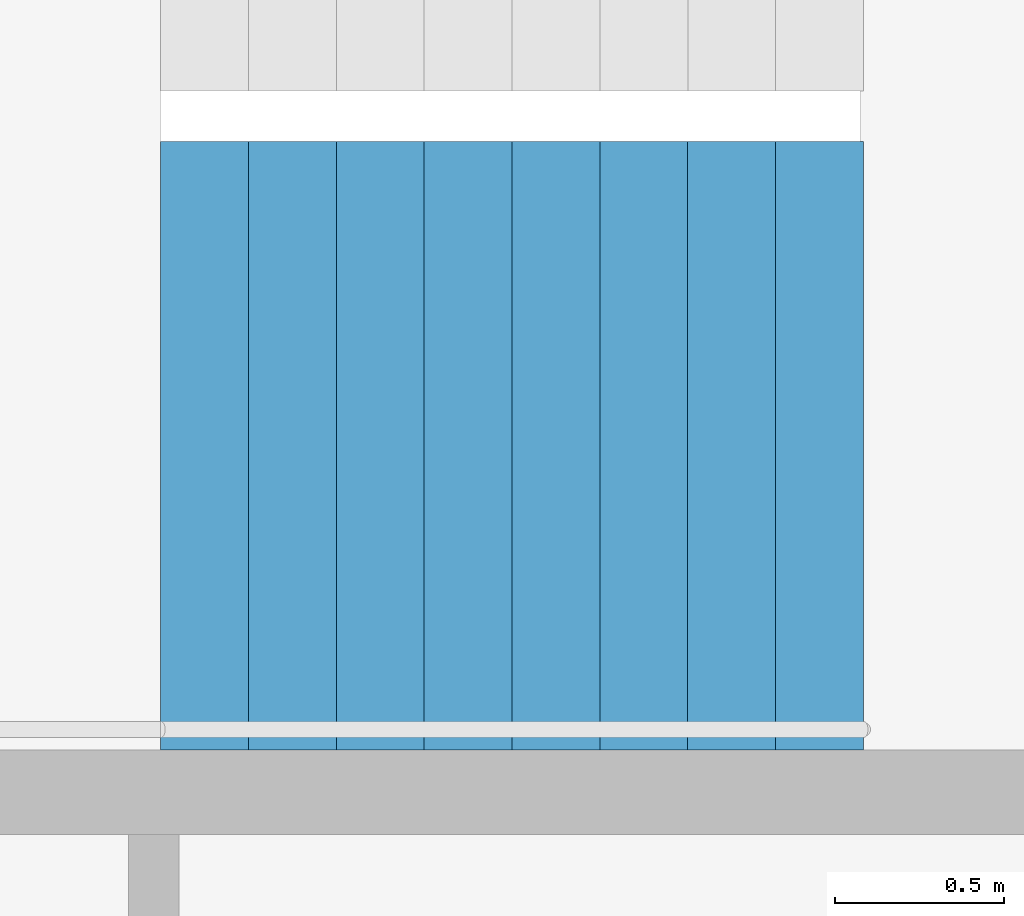
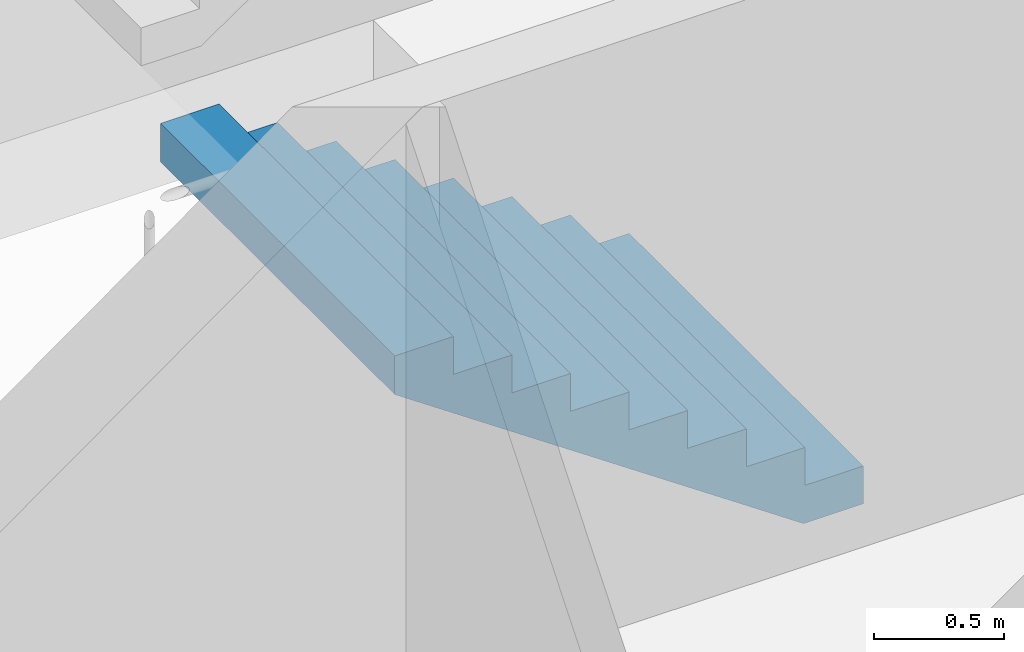
# One storey, part 25 of 27: 1 stair flight, 1 element without a shape of its own.
"""IFC4 building model written with IfcOpenShell, lengths in metres."""

from ifc_helpers import new_model, si_unit, direction, frame, origin, place, context, subcontext, project, spatial, triangles, material, type_object, element, aggregate, save


model = new_model("IFC4")

# Units and contexts
model_context = context("Model", 3, precision=1e-05, world=origin(), true_north=direction((0.0, 1.0)))
body_context = subcontext(model_context, "Body", "Model", "MODEL_VIEW")
ifc_project = project(units=[si_unit("LENGTHUNIT", "METRE"), si_unit("AREAUNIT", "SQUARE_METRE"), si_unit("VOLUMEUNIT", "CUBIC_METRE"), si_unit("PLANEANGLEUNIT", "RADIAN"), si_unit("MASSUNIT", "GRAM", prefix="KILO")], contexts=[model_context])

# Site, building, storey
site_placement = place(None, origin())
site = spatial("IfcSite", under=ifc_project, at=site_placement, CompositionType="ELEMENT")
building_placement = place(site_placement, origin())
building = spatial("IfcBuilding", under=site, at=building_placement, Name="Hakoniwa Tower and Hamabe Station Hall", CompositionType="ELEMENT")
storey_placement = place(building_placement, frame((0.0, 0.0, 255.0)))
storey = spatial("IfcBuildingStorey", under=building, at=storey_placement, Name="L72", CompositionType="ELEMENT", Elevation=255.0)

# Stair, stair flight
ifc_material_1 = material(Name="Concrete C40", Category="concrete")
stair_type = type_object("IfcStairType", Name="ESCAPE STAIR 1800", PredefinedType="HALF_TURN_STAIR", material=ifc_material_1)
stair_placement = place(storey_placement, origin())
stair = element("IfcStair", 1, at=stair_placement, inside=storey, type_object=stair_type, Name="Escape stair ST-3 L72", PredefinedType="HALF_TURN_STAIR")
ifc_material_2 = material(Name="Concrete C40", Category="concrete")
stair_flight_type = type_object("IfcStairFlightType", Name="STAIR FLIGHT 1800", PredefinedType="STRAIGHT", material=ifc_material_2)
stair_flight_placement = place(storey_placement, frame((24.39990234375, 4.64990234375, 0.0), z_axis=(0.0, 0.0, 1.0), x_axis=(-1.0, 0.0, 0.0)))
stair_flight = element("IfcStairFlight", 2, at=stair_flight_placement, type_object=stair_flight_type, Name="ST-3 flight 1", NumberOfRisers=9, NumberOfTreads=8, PredefinedType="STRAIGHT", RiserHeight=0.177777778, TreadLength=0.26, context=body_context, shape_type="Tessellation", body=[
    triangles([(0.0, 0.89990234375, 0.0), (0.260009765625, 0.89990234375, 0.0), (0.265625, 0.89990234375, 0.0), (0.52001953125, 0.89990234375, 0.174072265625), (0.780029296875, 0.89990234375, 0.351806640625), (1.0400390625, 0.89990234375, 0.529541015625), (1.300048828125, 0.89990234375, 0.707275390625), (1.56005859375, 0.89990234375, 0.885009765625), (1.820068359375, 0.89990234375, 1.062744140625), (2.080078125, 0.89990234375, 1.24072265625), (2.080078125, 0.89990234375, 1.422119140625), (1.820068359375, 0.89990234375, 1.422119140625), (1.820068359375, 0.89990234375, 1.244384765625), (1.56005859375, 0.89990234375, 1.244384765625), (1.56005859375, 0.89990234375, 1.066650390625), (1.300048828125, 0.89990234375, 1.066650390625), (1.300048828125, 0.89990234375, 0.888916015625), (1.0400390625, 0.89990234375, 0.888916015625), (1.0400390625, 0.89990234375, 0.711181640625), (0.780029296875, 0.89990234375, 0.711181640625), (0.780029296875, 0.89990234375, 0.533447265625), (0.52001953125, 0.89990234375, 0.533447265625), (0.52001953125, 0.89990234375, 0.35546875), (0.265625, 0.89990234375, 0.35546875), (0.260009765625, 0.89990234375, 0.35546875), (0.260009765625, 0.89990234375, 0.177734375), (0.0, 0.89990234375, 0.177734375), (0.0, 0.06005859375, 0.0), (0.260009765625, 0.06005859375, 0.0), (0.265625, 0.06005859375, 0.0), (0.52001953125, 0.06005859375, 0.174072265625), (0.780029296875, 0.06005859375, 0.351806640625), (1.0400390625, 0.06005859375, 0.529541015625), (1.300048828125, 0.06005859375, 0.707275390625), (1.56005859375, 0.06005859375, 0.885009765625), (1.820068359375, 0.06005859375, 1.062744140625), (2.080078125, 0.06005859375, 1.24072265625), (2.080078125, 0.06005859375, 1.422119140625), (1.820068359375, 0.06005859375, 1.422119140625), (1.820068359375, 0.06005859375, 1.244384765625), (1.56005859375, 0.06005859375, 1.244384765625), (1.56005859375, 0.06005859375, 1.066650390625), (1.300048828125, 0.06005859375, 1.066650390625), (1.300048828125, 0.06005859375, 0.888916015625), (1.0400390625, 0.06005859375, 0.888916015625), (1.0400390625, 0.06005859375, 0.711181640625), (0.780029296875, 0.06005859375, 0.711181640625), (0.780029296875, 0.06005859375, 0.533447265625), (0.52001953125, 0.06005859375, 0.533447265625), (0.52001953125, 0.06005859375, 0.35546875), (0.265625, 0.06005859375, 0.35546875), (0.260009765625, 0.06005859375, 0.35546875), (0.260009765625, 0.06005859375, 0.177734375), (0.0, 0.06005859375, 0.177734375), (0.0, 0.04296875, 0.0), (0.260009765625, 0.04296875, 0.0), (0.265625, 0.04296875, 0.0), (0.52001953125, 0.04296875, 0.174072265625), (0.780029296875, 0.04296875, 0.351806640625), (1.0400390625, 0.04296875, 0.529541015625), (1.300048828125, 0.04296875, 0.707275390625), (1.56005859375, 0.04296875, 0.885009765625), (1.820068359375, 0.04296875, 1.062744140625), (2.080078125, 0.04296875, 1.24072265625), (2.080078125, 0.04296875, 1.422119140625), (1.820068359375, 0.04296875, 1.422119140625), (1.820068359375, 0.04296875, 1.244384765625), (1.56005859375, 0.04296875, 1.244384765625), (1.56005859375, 0.04296875, 1.066650390625), (1.300048828125, 0.04296875, 1.066650390625), (1.300048828125, 0.04296875, 0.888916015625), (1.0400390625, 0.04296875, 0.888916015625), (1.0400390625, 0.04296875, 0.711181640625), (0.780029296875, 0.04296875, 0.711181640625), (0.780029296875, 0.04296875, 0.533447265625), (0.52001953125, 0.04296875, 0.533447265625), (0.52001953125, 0.04296875, 0.35546875), (0.265625, 0.04296875, 0.35546875), (0.260009765625, 0.04296875, 0.35546875), (0.260009765625, 0.04296875, 0.177734375), (0.0, 0.04296875, 0.177734375), (0.0, 0.025634765625, 0.0), (0.260009765625, 0.025634765625, 0.0), (0.265625, 0.025634765625, 0.0), (0.52001953125, 0.025634765625, 0.174072265625), (0.780029296875, 0.025634765625, 0.351806640625), (1.0400390625, 0.025634765625, 0.529541015625), (1.300048828125, 0.025634765625, 0.707275390625), (1.56005859375, 0.025634765625, 0.885009765625), (1.820068359375, 0.025634765625, 1.062744140625), (2.080078125, 0.025634765625, 1.24072265625), (2.080078125, 0.025634765625, 1.422119140625), (1.820068359375, 0.025634765625, 1.422119140625), (1.820068359375, 0.025634765625, 1.244384765625), (1.56005859375, 0.025634765625, 1.244384765625), (1.56005859375, 0.025634765625, 1.066650390625), (1.300048828125, 0.025634765625, 1.066650390625), (1.300048828125, 0.025634765625, 0.888916015625), (1.0400390625, 0.025634765625, 0.888916015625), (1.0400390625, 0.025634765625, 0.711181640625), (0.780029296875, 0.025634765625, 0.711181640625), (0.780029296875, 0.025634765625, 0.533447265625), (0.52001953125, 0.025634765625, 0.533447265625), (0.52001953125, 0.025634765625, 0.35546875), (0.265625, 0.025634765625, 0.35546875), (0.260009765625, 0.025634765625, 0.35546875), (0.260009765625, 0.025634765625, 0.177734375), (0.0, 0.025634765625, 0.177734375), (0.0, 0.008544921875, 0.0), (0.260009765625, 0.008544921875, 0.0), (0.265625, 0.008544921875, 0.0), (0.52001953125, 0.008544921875, 0.174072265625), (0.780029296875, 0.008544921875, 0.351806640625), (1.0400390625, 0.008544921875, 0.529541015625), (1.300048828125, 0.008544921875, 0.707275390625), (1.56005859375, 0.008544921875, 0.885009765625), (1.820068359375, 0.008544921875, 1.062744140625), (2.080078125, 0.008544921875, 1.24072265625), (2.080078125, 0.008544921875, 1.422119140625), (1.820068359375, 0.008544921875, 1.422119140625), (1.820068359375, 0.008544921875, 1.244384765625), (1.56005859375, 0.008544921875, 1.244384765625), (1.56005859375, 0.008544921875, 1.066650390625), (1.300048828125, 0.008544921875, 1.066650390625), (1.300048828125, 0.008544921875, 0.888916015625), (1.0400390625, 0.008544921875, 0.888916015625), (1.0400390625, 0.008544921875, 0.711181640625), (0.780029296875, 0.008544921875, 0.711181640625), (0.780029296875, 0.008544921875, 0.533447265625), (0.52001953125, 0.008544921875, 0.533447265625), (0.52001953125, 0.008544921875, 0.35546875), (0.265625, 0.008544921875, 0.35546875), (0.260009765625, 0.008544921875, 0.35546875), (0.260009765625, 0.008544921875, 0.177734375), (0.0, 0.008544921875, 0.177734375), (0.0, -0.008544921875, 0.0), (0.260009765625, -0.008544921875, 0.0), (0.265625, -0.008544921875, 0.0), (0.52001953125, -0.008544921875, 0.174072265625), (0.780029296875, -0.008544921875, 0.351806640625), (1.0400390625, -0.008544921875, 0.529541015625), (1.300048828125, -0.008544921875, 0.707275390625), (1.56005859375, -0.008544921875, 0.885009765625), (1.820068359375, -0.008544921875, 1.062744140625), (2.080078125, -0.008544921875, 1.24072265625), (2.080078125, -0.008544921875, 1.422119140625), (1.820068359375, -0.008544921875, 1.422119140625), (1.820068359375, -0.008544921875, 1.244384765625), (1.56005859375, -0.008544921875, 1.244384765625), (1.56005859375, -0.008544921875, 1.066650390625), (1.300048828125, -0.008544921875, 1.066650390625), (1.300048828125, -0.008544921875, 0.888916015625), (1.0400390625, -0.008544921875, 0.888916015625), (1.0400390625, -0.008544921875, 0.711181640625), (0.780029296875, -0.008544921875, 0.711181640625), (0.780029296875, -0.008544921875, 0.533447265625), (0.52001953125, -0.008544921875, 0.533447265625), (0.52001953125, -0.008544921875, 0.35546875), (0.265625, -0.008544921875, 0.35546875), (0.260009765625, -0.008544921875, 0.35546875), (0.260009765625, -0.008544921875, 0.177734375), (0.0, -0.008544921875, 0.177734375), (0.0, -0.025634765625, 0.0), (0.260009765625, -0.025634765625, 0.0), (0.265625, -0.025634765625, 0.0), (0.52001953125, -0.025634765625, 0.174072265625), (0.780029296875, -0.025634765625, 0.351806640625), (1.0400390625, -0.025634765625, 0.529541015625), (1.300048828125, -0.025634765625, 0.707275390625), (1.56005859375, -0.025634765625, 0.885009765625), (1.820068359375, -0.025634765625, 1.062744140625), (2.080078125, -0.025634765625, 1.24072265625), (2.080078125, -0.025634765625, 1.422119140625), (1.820068359375, -0.025634765625, 1.422119140625), (1.820068359375, -0.025634765625, 1.244384765625), (1.56005859375, -0.025634765625, 1.244384765625), (1.56005859375, -0.025634765625, 1.066650390625), (1.300048828125, -0.025634765625, 1.066650390625), (1.300048828125, -0.025634765625, 0.888916015625), (1.0400390625, -0.025634765625, 0.888916015625), (1.0400390625, -0.025634765625, 0.711181640625), (0.780029296875, -0.025634765625, 0.711181640625), (0.780029296875, -0.025634765625, 0.533447265625), (0.52001953125, -0.025634765625, 0.533447265625), (0.52001953125, -0.025634765625, 0.35546875), (0.265625, -0.025634765625, 0.35546875), (0.260009765625, -0.025634765625, 0.35546875), (0.260009765625, -0.025634765625, 0.177734375), (0.0, -0.025634765625, 0.177734375), (0.0, -0.04296875, 0.0), (0.260009765625, -0.04296875, 0.0), (0.265625, -0.04296875, 0.0), (0.52001953125, -0.04296875, 0.174072265625), (0.780029296875, -0.04296875, 0.351806640625), (1.0400390625, -0.04296875, 0.529541015625), (1.300048828125, -0.04296875, 0.707275390625), (1.56005859375, -0.04296875, 0.885009765625), (1.820068359375, -0.04296875, 1.062744140625), (2.080078125, -0.04296875, 1.24072265625), (2.080078125, -0.04296875, 1.422119140625), (1.820068359375, -0.04296875, 1.422119140625), (1.820068359375, -0.04296875, 1.244384765625), (1.56005859375, -0.04296875, 1.244384765625), (1.56005859375, -0.04296875, 1.066650390625), (1.300048828125, -0.04296875, 1.066650390625), (1.300048828125, -0.04296875, 0.888916015625), (1.0400390625, -0.04296875, 0.888916015625), (1.0400390625, -0.04296875, 0.711181640625), (0.780029296875, -0.04296875, 0.711181640625), (0.780029296875, -0.04296875, 0.533447265625), (0.52001953125, -0.04296875, 0.533447265625), (0.52001953125, -0.04296875, 0.35546875), (0.265625, -0.04296875, 0.35546875), (0.260009765625, -0.04296875, 0.35546875), (0.260009765625, -0.04296875, 0.177734375), (0.0, -0.04296875, 0.177734375), (0.0, -0.06005859375, 0.0), (0.260009765625, -0.06005859375, 0.0), (0.265625, -0.06005859375, 0.0), (0.52001953125, -0.06005859375, 0.174072265625), (0.780029296875, -0.06005859375, 0.351806640625), (1.0400390625, -0.06005859375, 0.529541015625), (1.300048828125, -0.06005859375, 0.707275390625), (1.56005859375, -0.06005859375, 0.885009765625), (1.820068359375, -0.06005859375, 1.062744140625), (2.080078125, -0.06005859375, 1.24072265625), (2.080078125, -0.06005859375, 1.422119140625), (1.820068359375, -0.06005859375, 1.422119140625), (1.820068359375, -0.06005859375, 1.244384765625), (1.56005859375, -0.06005859375, 1.244384765625), (1.56005859375, -0.06005859375, 1.066650390625), (1.300048828125, -0.06005859375, 1.066650390625), (1.300048828125, -0.06005859375, 0.888916015625), (1.0400390625, -0.06005859375, 0.888916015625), (1.0400390625, -0.06005859375, 0.711181640625), (0.780029296875, -0.06005859375, 0.711181640625), (0.780029296875, -0.06005859375, 0.533447265625), (0.52001953125, -0.06005859375, 0.533447265625), (0.52001953125, -0.06005859375, 0.35546875), (0.265625, -0.06005859375, 0.35546875), (0.260009765625, -0.06005859375, 0.35546875), (0.260009765625, -0.06005859375, 0.177734375), (0.0, -0.06005859375, 0.177734375), (0.0, -0.89990234375, 0.0), (0.260009765625, -0.89990234375, 0.0), (0.265625, -0.89990234375, 0.0), (0.52001953125, -0.89990234375, 0.174072265625), (0.780029296875, -0.89990234375, 0.351806640625), (1.0400390625, -0.89990234375, 0.529541015625), (1.300048828125, -0.89990234375, 0.707275390625), (1.56005859375, -0.89990234375, 0.885009765625), (1.820068359375, -0.89990234375, 1.062744140625), (2.080078125, -0.89990234375, 1.24072265625), (2.080078125, -0.89990234375, 1.422119140625), (1.820068359375, -0.89990234375, 1.422119140625), (1.820068359375, -0.89990234375, 1.244384765625), (1.56005859375, -0.89990234375, 1.244384765625), (1.56005859375, -0.89990234375, 1.066650390625), (1.300048828125, -0.89990234375, 1.066650390625), (1.300048828125, -0.89990234375, 0.888916015625), (1.0400390625, -0.89990234375, 0.888916015625), (1.0400390625, -0.89990234375, 0.711181640625), (0.780029296875, -0.89990234375, 0.711181640625), (0.780029296875, -0.89990234375, 0.533447265625), (0.52001953125, -0.89990234375, 0.533447265625), (0.52001953125, -0.89990234375, 0.35546875), (0.265625, -0.89990234375, 0.35546875), (0.260009765625, -0.89990234375, 0.35546875), (0.260009765625, -0.89990234375, 0.177734375), (0.0, -0.89990234375, 0.177734375)], [[2, 27, 26], [245, 269, 270], [2, 1, 27], [245, 270, 244], [3, 25, 24], [246, 267, 268], [3, 26, 25], [246, 268, 269], [3, 2, 26], [246, 269, 245], [4, 24, 23], [247, 266, 267], [4, 3, 24], [247, 267, 246], [5, 22, 21], [248, 264, 265], [5, 23, 22], [248, 265, 266], [5, 4, 23], [248, 266, 247], [6, 20, 19], [249, 262, 263], [6, 21, 20], [249, 263, 264], [6, 5, 21], [249, 264, 248], [7, 18, 17], [250, 260, 261], [7, 19, 18], [250, 261, 262], [7, 6, 19], [250, 262, 249], [8, 16, 15], [251, 258, 259], [8, 17, 16], [251, 259, 260], [8, 7, 17], [251, 260, 250], [9, 14, 13], [252, 256, 257], [9, 15, 14], [252, 257, 258], [9, 8, 15], [252, 258, 251], [10, 12, 11], [253, 254, 255], [10, 13, 12], [253, 255, 256], [10, 9, 13], [253, 256, 252], [1, 2, 29], [1, 29, 28], [28, 29, 56], [28, 56, 55], [55, 56, 83], [55, 83, 82], [82, 83, 110], [82, 110, 109], [109, 110, 137], [109, 137, 136], [136, 137, 164], [136, 164, 163], [163, 164, 191], [163, 191, 190], [190, 191, 218], [190, 218, 217], [217, 218, 245], [217, 245, 244], [2, 3, 30], [2, 30, 29], [29, 30, 57], [29, 57, 56], [56, 57, 84], [56, 84, 83], [83, 84, 111], [83, 111, 110], [110, 111, 138], [110, 138, 137], [137, 138, 165], [137, 165, 164], [164, 165, 192], [164, 192, 191], [191, 192, 219], [191, 219, 218], [218, 219, 246], [218, 246, 245], [3, 4, 31], [3, 31, 30], [30, 31, 58], [30, 58, 57], [57, 58, 85], [57, 85, 84], [84, 85, 112], [84, 112, 111], [111, 112, 139], [111, 139, 138], [138, 139, 166], [138, 166, 165], [165, 166, 193], [165, 193, 192], [192, 193, 220], [192, 220, 219], [219, 220, 247], [219, 247, 246], [4, 5, 32], [4, 32, 31], [31, 32, 59], [31, 59, 58], [58, 59, 86], [58, 86, 85], [85, 86, 113], [85, 113, 112], [112, 113, 140], [112, 140, 139], [139, 140, 167], [139, 167, 166], [166, 167, 194], [166, 194, 193], [193, 194, 221], [193, 221, 220], [220, 221, 248], [220, 248, 247], [5, 6, 33], [5, 33, 32], [32, 33, 60], [32, 60, 59], [59, 60, 87], [59, 87, 86], [86, 87, 114], [86, 114, 113], [113, 114, 141], [113, 141, 140], [140, 141, 168], [140, 168, 167], [167, 168, 195], [167, 195, 194], [194, 195, 222], [194, 222, 221], [221, 222, 249], [221, 249, 248], [6, 7, 34], [6, 34, 33], [33, 34, 61], [33, 61, 60], [60, 61, 88], [60, 88, 87], [87, 88, 115], [87, 115, 114], [114, 115, 142], [114, 142, 141], [141, 142, 169], [141, 169, 168], [168, 169, 196], [168, 196, 195], [195, 196, 223], [195, 223, 222], [222, 223, 250], [222, 250, 249], [7, 8, 35], [7, 35, 34], [34, 35, 62], [34, 62, 61], [61, 62, 89], [61, 89, 88], [88, 89, 116], [88, 116, 115], [115, 116, 143], [115, 143, 142], [142, 143, 170], [142, 170, 169], [169, 170, 197], [169, 197, 196], [196, 197, 224], [196, 224, 223], [223, 224, 251], [223, 251, 250], [8, 9, 36], [8, 36, 35], [35, 36, 63], [35, 63, 62], [62, 63, 90], [62, 90, 89], [89, 90, 117], [89, 117, 116], [116, 117, 144], [116, 144, 143], [143, 144, 171], [143, 171, 170], [170, 171, 198], [170, 198, 197], [197, 198, 225], [197, 225, 224], [224, 225, 252], [224, 252, 251], [9, 10, 37], [9, 37, 36], [36, 37, 64], [36, 64, 63], [63, 64, 91], [63, 91, 90], [90, 91, 118], [90, 118, 117], [117, 118, 145], [117, 145, 144], [144, 145, 172], [144, 172, 171], [171, 172, 199], [171, 199, 198], [198, 199, 226], [198, 226, 225], [225, 226, 253], [225, 253, 252], [10, 11, 38], [10, 38, 37], [37, 38, 65], [37, 65, 64], [64, 65, 92], [64, 92, 91], [91, 92, 119], [91, 119, 118], [118, 119, 146], [118, 146, 145], [145, 146, 173], [145, 173, 172], [172, 173, 200], [172, 200, 199], [199, 200, 227], [199, 227, 226], [226, 227, 254], [226, 254, 253], [11, 12, 39], [11, 39, 38], [38, 39, 66], [38, 66, 65], [65, 66, 93], [65, 93, 92], [92, 93, 120], [92, 120, 119], [119, 120, 147], [119, 147, 146], [146, 147, 174], [146, 174, 173], [173, 174, 201], [173, 201, 200], [200, 201, 228], [200, 228, 227], [227, 228, 255], [227, 255, 254], [12, 13, 40], [12, 40, 39], [39, 40, 67], [39, 67, 66], [66, 67, 94], [66, 94, 93], [93, 94, 121], [93, 121, 120], [120, 121, 148], [120, 148, 147], [147, 148, 175], [147, 175, 174], [174, 175, 202], [174, 202, 201], [201, 202, 229], [201, 229, 228], [228, 229, 256], [228, 256, 255], [13, 14, 41], [13, 41, 40], [40, 41, 68], [40, 68, 67], [67, 68, 95], [67, 95, 94], [94, 95, 122], [94, 122, 121], [121, 122, 149], [121, 149, 148], [148, 149, 176], [148, 176, 175], [175, 176, 203], [175, 203, 202], [202, 203, 230], [202, 230, 229], [229, 230, 257], [229, 257, 256], [14, 15, 42], [14, 42, 41], [41, 42, 69], [41, 69, 68], [68, 69, 96], [68, 96, 95], [95, 96, 123], [95, 123, 122], [122, 123, 150], [122, 150, 149], [149, 150, 177], [149, 177, 176], [176, 177, 204], [176, 204, 203], [203, 204, 231], [203, 231, 230], [230, 231, 258], [230, 258, 257], [15, 16, 43], [15, 43, 42], [42, 43, 70], [42, 70, 69], [69, 70, 97], [69, 97, 96], [96, 97, 124], [96, 124, 123], [123, 124, 151], [123, 151, 150], [150, 151, 178], [150, 178, 177], [177, 178, 205], [177, 205, 204], [204, 205, 232], [204, 232, 231], [231, 232, 259], [231, 259, 258], [16, 17, 44], [16, 44, 43], [43, 44, 71], [43, 71, 70], [70, 71, 98], [70, 98, 97], [97, 98, 125], [97, 125, 124], [124, 125, 152], [124, 152, 151], [151, 152, 179], [151, 179, 178], [178, 179, 206], [178, 206, 205], [205, 206, 233], [205, 233, 232], [232, 233, 260], [232, 260, 259], [17, 18, 45], [17, 45, 44], [44, 45, 72], [44, 72, 71], [71, 72, 99], [71, 99, 98], [98, 99, 126], [98, 126, 125], [125, 126, 153], [125, 153, 152], [152, 153, 180], [152, 180, 179], [179, 180, 207], [179, 207, 206], [206, 207, 234], [206, 234, 233], [233, 234, 261], [233, 261, 260], [18, 19, 46], [18, 46, 45], [45, 46, 73], [45, 73, 72], [72, 73, 100], [72, 100, 99], [99, 100, 127], [99, 127, 126], [126, 127, 154], [126, 154, 153], [153, 154, 181], [153, 181, 180], [180, 181, 208], [180, 208, 207], [207, 208, 235], [207, 235, 234], [234, 235, 262], [234, 262, 261], [19, 20, 47], [19, 47, 46], [46, 47, 74], [46, 74, 73], [73, 74, 101], [73, 101, 100], [100, 101, 128], [100, 128, 127], [127, 128, 155], [127, 155, 154], [154, 155, 182], [154, 182, 181], [181, 182, 209], [181, 209, 208], [208, 209, 236], [208, 236, 235], [235, 236, 263], [235, 263, 262], [20, 21, 48], [20, 48, 47], [47, 48, 75], [47, 75, 74], [74, 75, 102], [74, 102, 101], [101, 102, 129], [101, 129, 128], [128, 129, 156], [128, 156, 155], [155, 156, 183], [155, 183, 182], [182, 183, 210], [182, 210, 209], [209, 210, 237], [209, 237, 236], [236, 237, 264], [236, 264, 263], [21, 22, 49], [21, 49, 48], [48, 49, 76], [48, 76, 75], [75, 76, 103], [75, 103, 102], [102, 103, 130], [102, 130, 129], [129, 130, 157], [129, 157, 156], [156, 157, 184], [156, 184, 183], [183, 184, 211], [183, 211, 210], [210, 211, 238], [210, 238, 237], [237, 238, 265], [237, 265, 264], [22, 23, 50], [22, 50, 49], [49, 50, 77], [49, 77, 76], [76, 77, 104], [76, 104, 103], [103, 104, 131], [103, 131, 130], [130, 131, 158], [130, 158, 157], [157, 158, 185], [157, 185, 184], [184, 185, 212], [184, 212, 211], [211, 212, 239], [211, 239, 238], [238, 239, 266], [238, 266, 265], [23, 24, 51], [23, 51, 50], [50, 51, 78], [50, 78, 77], [77, 78, 105], [77, 105, 104], [104, 105, 132], [104, 132, 131], [131, 132, 159], [131, 159, 158], [158, 159, 186], [158, 186, 185], [185, 186, 213], [185, 213, 212], [212, 213, 240], [212, 240, 239], [239, 240, 267], [239, 267, 266], [24, 25, 52], [24, 52, 51], [51, 52, 79], [51, 79, 78], [78, 79, 106], [78, 106, 105], [105, 106, 133], [105, 133, 132], [132, 133, 160], [132, 160, 159], [159, 160, 187], [159, 187, 186], [186, 187, 214], [186, 214, 213], [213, 214, 241], [213, 241, 240], [240, 241, 268], [240, 268, 267], [25, 26, 53], [25, 53, 52], [52, 53, 80], [52, 80, 79], [79, 80, 107], [79, 107, 106], [106, 107, 134], [106, 134, 133], [133, 134, 161], [133, 161, 160], [160, 161, 188], [160, 188, 187], [187, 188, 215], [187, 215, 214], [214, 215, 242], [214, 242, 241], [241, 242, 269], [241, 269, 268], [26, 27, 54], [26, 54, 53], [53, 54, 81], [53, 81, 80], [80, 81, 108], [80, 108, 107], [107, 108, 135], [107, 135, 134], [134, 135, 162], [134, 162, 161], [161, 162, 189], [161, 189, 188], [188, 189, 216], [188, 216, 215], [215, 216, 243], [215, 243, 242], [242, 243, 270], [242, 270, 269], [27, 1, 28], [27, 28, 54], [54, 28, 55], [54, 55, 81], [81, 55, 82], [81, 82, 108], [108, 82, 109], [108, 109, 135], [135, 109, 136], [135, 136, 162], [162, 136, 163], [162, 163, 189], [189, 163, 190], [189, 190, 216], [216, 190, 217], [216, 217, 243], [243, 217, 244], [243, 244, 270]], closed=True),
])
aggregate(stair, [stair_flight])

save(model, "model.ifc")
